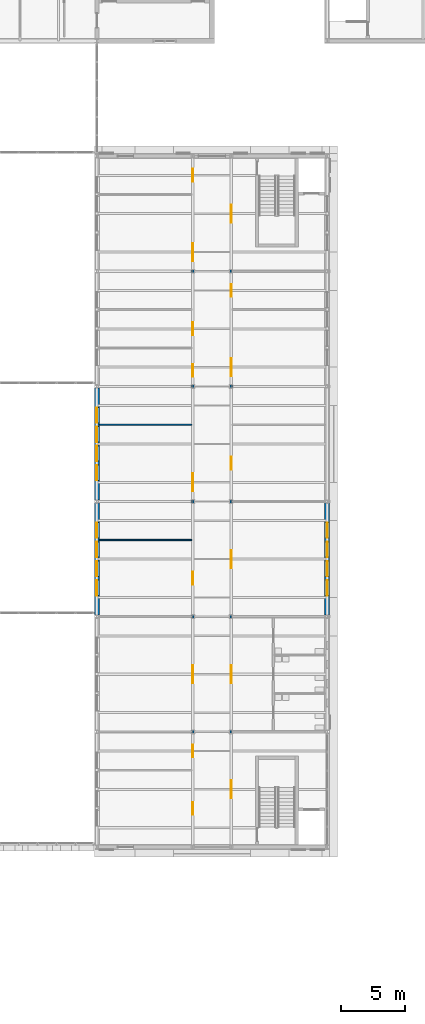
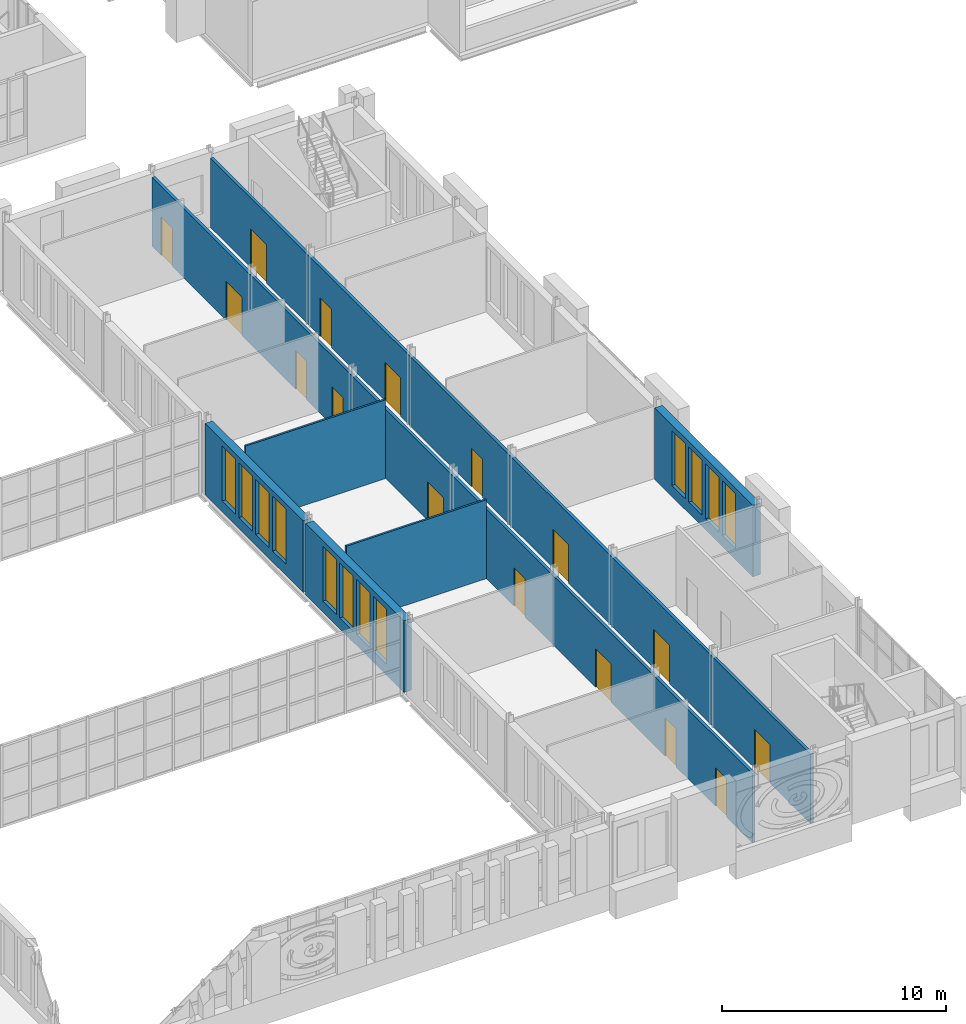
# One storey, part 79 of 131: 16 doors, 12 windows, 7 walls, 28 openings.
"""IFC4 building model written with IfcOpenShell, lengths in metres."""

from ifc_helpers import new_model, si_unit, direction, frame, frame_2d, origin, place, context, subcontext, project, spatial, rectangle, extrude, material, layer, layer_set, type_object, element, fill, save


model = new_model("IFC4")

# Units and contexts
model_context = context("Model", 3, precision=1e-05, world=origin(), true_north=direction((0.0, 1.0)))
body_context = subcontext(model_context, "Body", "Model", "MODEL_VIEW")
ifc_project = project(units=[si_unit("LENGTHUNIT", "METRE"), si_unit("AREAUNIT", "SQUARE_METRE"), si_unit("VOLUMEUNIT", "CUBIC_METRE"), si_unit("PLANEANGLEUNIT", "RADIAN"), si_unit("MASSUNIT", "GRAM", prefix="KILO")], contexts=[model_context])

# Site, building, storey
site_placement = place(None, origin())
site = spatial("IfcSite", under=ifc_project, at=site_placement, CompositionType="ELEMENT")
building_placement = place(site_placement, origin())
building = spatial("IfcBuilding", under=site, at=building_placement, Name="Golden Quay Civic Hall", CompositionType="ELEMENT")
storey_placement = place(building_placement, frame((0.0, 0.0, 9.89990234375)))
storey = spatial("IfcBuildingStorey", under=building, at=storey_placement, Name="L02", CompositionType="ELEMENT", Elevation=9.89990234375)

# Walls
ifc_material_1 = material(Name="Plasterboard on steel studs", Category="steel")
ifc_layer_1 = layer(ifc_material_1, 0.10009765625)
ifc_layer_set_1 = layer_set([ifc_layer_1], Name="Partition 100 stud")
wall_type_1 = type_object("IfcWallType", Name="Partition 100 stud", PredefinedType="PARTITIONING", material=ifc_layer_set_1)
for number, where, z_axis, x_axis, name in (
    (1, (99.199951171875, 24.0, 0.0), (0.0, 0.0, 1.0), (1.0, 0.0, 0.0), "Partition L02-008"),
    (2, (99.199951171875, 33.0, 0.0), (0.0, 0.0, 1.0), (1.0, 0.0, 0.0), "Partition L02-009"),
):
    element("IfcWall", number, at=place(storey_placement, frame(where, z_axis=z_axis, x_axis=x_axis)), inside=storey, type_object=wall_type_1, Name=name, PredefinedType="PARTITIONING", context=body_context, shape_type="SweptSolid", body=[
        extrude(rectangle(XDim=7.22509765625, YDim=0.10009765625, at=frame_2d((3.612548828125, 0.0))), origin(), (0.0, 0.0, 1.0), 4.300048828125),
    ])

# Wall, openings, doors
ifc_material_2 = material(Name="Plasterboard on steel studs", Category="steel")
ifc_layer_2 = layer(ifc_material_2, 0.14990234375)
ifc_layer_set_2 = layer_set([ifc_layer_2], Name="Partition 150 stud fire EI 60")
wall_type_2 = type_object("IfcWallType", Name="Partition 150 stud fire EI 60", PredefinedType="PARTITIONING", material=ifc_layer_set_2)
wall_1_placement = place(storey_placement, frame((109.5, 0.199951171875, 0.0), z_axis=(0.0, 0.0, 1.0), x_axis=(0.0, 1.0, 0.0)))
wall_1 = element("IfcWall", 3, at=wall_1_placement, inside=storey, type_object=wall_type_2, Name="Partition L02-014", PredefinedType="PARTITIONING", context=body_context, shape_type="SweptSolid", body=[
    extrude(rectangle(XDim=53.60009765625, YDim=0.14990234375, at=frame_2d((26.800048828125, 0.0))), origin(), (0.0, 0.0, 1.0), 3.780029296875),
])
opening_1_placement = place(wall_1_placement, frame((21.60009765625, 0.0, 0.0)))
opening_1 = element("IfcOpeningElement", 4, at=opening_1_placement, cuts=wall_1, Name="Opening L02-D107", PredefinedType="OPENING", context=body_context, shape_type="SweptSolid", body=[
    extrude(rectangle(XDim=1.39990234375, YDim=2.10009765625, at=frame_2d((0.699951171875, 1.050048828125))), frame((0.0, 0.0849609375, 0.0), z_axis=(0.0, -1.0, 0.0), x_axis=(1.0, 0.0, 0.0)), (0.0, 0.0, 1.0), 0.169921875),
])
opening_2_placement = place(wall_1_placement, frame((29.300048828125, 0.0, 0.0)))
opening_2 = element("IfcOpeningElement", 5, at=opening_2_placement, cuts=wall_1, Name="Opening L02-D108", PredefinedType="OPENING", context=body_context, shape_type="SweptSolid", body=[
    extrude(rectangle(XDim=1.0, YDim=2.10009765625, at=frame_2d((0.5, 1.050048828125))), frame((0.0, 0.0849609375, 0.0), z_axis=(0.0, -1.0, 0.0), x_axis=(1.0, 0.0, 0.0)), (0.0, 0.0, 1.0), 0.169921875),
])
opening_3_placement = place(wall_1_placement, frame((36.60009765625, 0.0, 0.0)))
opening_3 = element("IfcOpeningElement", 6, at=opening_3_placement, cuts=wall_1, Name="Opening L02-D109", PredefinedType="OPENING", context=body_context, shape_type="SweptSolid", body=[
    extrude(rectangle(XDim=1.39990234375, YDim=2.10009765625, at=frame_2d((0.699951171875, 1.050048828125))), frame((0.0, 0.0849609375, 0.0), z_axis=(0.0, -1.0, 0.0), x_axis=(1.0, 0.0, 0.0)), (0.0, 0.0, 1.0), 0.169921875),
])
opening_4_placement = place(wall_1_placement, frame((42.800048828125, 0.0, 0.0)))
opening_4 = element("IfcOpeningElement", 7, at=opening_4_placement, cuts=wall_1, Name="Opening L02-D110", PredefinedType="OPENING", context=body_context, shape_type="SweptSolid", body=[
    extrude(rectangle(XDim=1.0, YDim=2.10009765625, at=frame_2d((0.5, 1.050048828125))), frame((0.0, 0.0849609375, 0.0), z_axis=(0.0, -1.0, 0.0), x_axis=(1.0, 0.0, 0.0)), (0.0, 0.0, 1.0), 0.169921875),
])
opening_5_placement = place(wall_1_placement, frame((12.60009765625, 0.0, 0.0)))
opening_5 = element("IfcOpeningElement", 8, at=opening_5_placement, cuts=wall_1, Name="Opening L02-D120", PredefinedType="OPENING", context=body_context, shape_type="SweptSolid", body=[
    extrude(rectangle(XDim=1.39990234375, YDim=2.10009765625, at=frame_2d((0.699951171875, 1.050048828125))), frame((0.0, 0.0849609375, 0.0), z_axis=(0.0, -1.0, 0.0), x_axis=(1.0, 0.0, 0.0)), (0.0, 0.0, 1.0), 0.169921875),
])
opening_6_placement = place(wall_1_placement, frame((3.60009765625, 0.0, 0.0)))
opening_6 = element("IfcOpeningElement", 9, at=opening_6_placement, cuts=wall_1, Name="Opening L02-D125", PredefinedType="OPENING", context=body_context, shape_type="SweptSolid", body=[
    extrude(rectangle(XDim=1.39990234375, YDim=2.10009765625, at=frame_2d((0.699951171875, 1.050048828125))), frame((0.0, 0.0849609375, 0.0), z_axis=(0.0, -1.0, 0.0), x_axis=(1.0, 0.0, 0.0)), (0.0, 0.0, 1.0), 0.169921875),
])
opening_7_placement = place(wall_1_placement, frame((48.60009765625, 0.0, 0.0)))
opening_7 = element("IfcOpeningElement", 10, at=opening_7_placement, cuts=wall_1, Name="Opening L02-D127", PredefinedType="OPENING", context=body_context, shape_type="SweptSolid", body=[
    extrude(rectangle(XDim=1.39990234375, YDim=2.10009765625, at=frame_2d((0.699951171875, 1.050048828125))), frame((0.0, 0.0849609375, 0.0), z_axis=(0.0, -1.0, 0.0), x_axis=(1.0, 0.0, 0.0)), (0.0, 0.0, 1.0), 0.169921875),
])
ifc_material_3 = material(Name="Steel", Category="steel")
door_type_1 = type_object("IfcDoorType", Name="Steel double fire door FD30S 1400 x 2100", OperationType="DOUBLE_DOOR_SINGLE_SWING", PredefinedType="DOOR", material=ifc_material_3)
door_1_placement = place(opening_1_placement, frame((1.39990234375, 0.0, 0.0), z_axis=(0.0, 0.0, 1.0), x_axis=(-1.0, 0.0, 0.0)))
door_1 = element("IfcDoor", 11, at=door_1_placement, inside=storey, type_object=door_type_1, Name="Door L02-D107", OperationType="DOUBLE_DOOR_SINGLE_SWING", OverallHeight=2.10009765625, OverallWidth=1.39990234375, PredefinedType="DOOR", context=body_context, shape_type="SweptSolid", body=[
    extrude(rectangle(XDim=1.39990234375, YDim=2.10009765625, at=frame_2d((0.699951171875, 1.050048828125))), frame((0.0, 0.025146484375, 0.0), z_axis=(0.0, -1.0, 0.0), x_axis=(1.0, 0.0, 0.0)), (0.0, 0.0, 1.0), 0.050048828125),
])
fill(opening_1, door_1)
door_2_placement = place(opening_3_placement, frame((1.39990234375, 0.0, 0.0), z_axis=(0.0, 0.0, 1.0), x_axis=(-1.0, 0.0, 0.0)))
door_2 = element("IfcDoor", 12, at=door_2_placement, inside=storey, type_object=door_type_1, Name="Door L02-D109", OperationType="DOUBLE_DOOR_SINGLE_SWING", OverallHeight=2.10009765625, OverallWidth=1.39990234375, PredefinedType="DOOR", context=body_context, shape_type="SweptSolid", body=[
    extrude(rectangle(XDim=1.39990234375, YDim=2.10009765625, at=frame_2d((0.699951171875, 1.050048828125))), frame((0.0, 0.025146484375, 0.0), z_axis=(0.0, -1.0, 0.0), x_axis=(1.0, 0.0, 0.0)), (0.0, 0.0, 1.0), 0.050048828125),
])
fill(opening_3, door_2)
door_3_placement = place(opening_5_placement, frame((1.39990234375, 0.0, 0.0), z_axis=(0.0, 0.0, 1.0), x_axis=(-1.0, 0.0, 0.0)))
door_3 = element("IfcDoor", 13, at=door_3_placement, inside=storey, type_object=door_type_1, Name="Door L02-D120", OperationType="DOUBLE_DOOR_SINGLE_SWING", OverallHeight=2.10009765625, OverallWidth=1.39990234375, PredefinedType="DOOR", context=body_context, shape_type="SweptSolid", body=[
    extrude(rectangle(XDim=1.39990234375, YDim=2.10009765625, at=frame_2d((0.699951171875, 1.050048828125))), frame((0.0, 0.025146484375, 0.0), z_axis=(0.0, -1.0, 0.0), x_axis=(1.0, 0.0, 0.0)), (0.0, 0.0, 1.0), 0.050048828125),
])
fill(opening_5, door_3)
door_4_placement = place(opening_6_placement, origin())
door_4 = element("IfcDoor", 14, at=door_4_placement, inside=storey, type_object=door_type_1, Name="Door L02-D125", OperationType="DOUBLE_DOOR_SINGLE_SWING", OverallHeight=2.10009765625, OverallWidth=1.39990234375, PredefinedType="DOOR", context=body_context, shape_type="SweptSolid", body=[
    extrude(rectangle(XDim=1.39990234375, YDim=2.10009765625, at=frame_2d((0.699951171875, 1.050048828125))), frame((0.0, 0.02490234375, 0.0), z_axis=(0.0, -1.0, 0.0), x_axis=(1.0, 0.0, 0.0)), (0.0, 0.0, 1.0), 0.050048828125),
])
fill(opening_6, door_4)
door_5_placement = place(opening_7_placement, origin())
door_5 = element("IfcDoor", 15, at=door_5_placement, inside=storey, type_object=door_type_1, Name="Door L02-D127", OperationType="DOUBLE_DOOR_SINGLE_SWING", OverallHeight=2.10009765625, OverallWidth=1.39990234375, PredefinedType="DOOR", context=body_context, shape_type="SweptSolid", body=[
    extrude(rectangle(XDim=1.39990234375, YDim=2.10009765625, at=frame_2d((0.699951171875, 1.050048828125))), frame((0.0, 0.02490234375, 0.0), z_axis=(0.0, -1.0, 0.0), x_axis=(1.0, 0.0, 0.0)), (0.0, 0.0, 1.0), 0.050048828125),
])
fill(opening_7, door_5)
ifc_material_4 = material(Name="Steel", Category="steel")
door_type_2 = type_object("IfcDoorType", Name="Steel fire door FD30S 1000 x 2100", OperationType="SINGLE_SWING_LEFT", PredefinedType="DOOR", material=ifc_material_4)
door_6_placement = place(opening_2_placement, frame((1.0, 0.0, 0.0), z_axis=(0.0, 0.0, 1.0), x_axis=(-1.0, 0.0, 0.0)))
door_6 = element("IfcDoor", 16, at=door_6_placement, inside=storey, type_object=door_type_2, Name="Door L02-D108", OperationType="SINGLE_SWING_RIGHT", OverallHeight=2.10009765625, OverallWidth=1.0, PredefinedType="DOOR", context=body_context, shape_type="SweptSolid", body=[
    extrude(rectangle(XDim=1.0, YDim=2.10009765625, at=frame_2d((0.5, 1.050048828125))), frame((0.0, 0.025146484375, 0.0), z_axis=(0.0, -1.0, 0.0), x_axis=(1.0, 0.0, 0.0)), (0.0, 0.0, 1.0), 0.050048828125),
])
fill(opening_2, door_6)
door_7_placement = place(opening_4_placement, frame((1.0, 0.0, 0.0), z_axis=(0.0, 0.0, 1.0), x_axis=(-1.0, 0.0, 0.0)))
door_7 = element("IfcDoor", 17, at=door_7_placement, inside=storey, type_object=door_type_2, Name="Door L02-D110", OperationType="SINGLE_SWING_RIGHT", OverallHeight=2.10009765625, OverallWidth=1.0, PredefinedType="DOOR", context=body_context, shape_type="SweptSolid", body=[
    extrude(rectangle(XDim=1.0, YDim=2.10009765625, at=frame_2d((0.5, 1.050048828125))), frame((0.0, 0.025146484375, 0.0), z_axis=(0.0, -1.0, 0.0), x_axis=(1.0, 0.0, 0.0)), (0.0, 0.0, 1.0), 0.050048828125),
])
fill(opening_4, door_7)

wall_2_placement = place(storey_placement, frame((106.5, 0.199951171875, 0.0), z_axis=(0.0, 0.0, 1.0), x_axis=(0.0, 1.0, 0.0)))
wall_2 = element("IfcWall", 18, at=wall_2_placement, inside=storey, type_object=wall_type_2, Name="Partition L02-015", PredefinedType="PARTITIONING", context=body_context, shape_type="SweptSolid", body=[
    extrude(rectangle(XDim=53.60009765625, YDim=0.14990234375, at=frame_2d((26.800048828125, 0.0))), origin(), (0.0, 0.0, 1.0), 3.780029296875),
])
opening_8_placement = place(wall_2_placement, frame((2.300048828125, 0.0, 0.0)))
opening_8 = element("IfcOpeningElement", 19, at=opening_8_placement, cuts=wall_2, Name="Opening L02-D111", PredefinedType="OPENING", context=body_context, shape_type="SweptSolid", body=[
    extrude(rectangle(XDim=1.0, YDim=2.10009765625, at=frame_2d((0.5, 1.050048828125))), frame((0.0, 0.0849609375, 0.0), z_axis=(0.0, -1.0, 0.0), x_axis=(1.0, 0.0, 0.0)), (0.0, 0.0, 1.0), 0.169921875),
])
opening_9_placement = place(wall_2_placement, frame((6.800048828125, 0.0, 0.0)))
opening_9 = element("IfcOpeningElement", 20, at=opening_9_placement, cuts=wall_2, Name="Opening L02-D112", PredefinedType="OPENING", context=body_context, shape_type="SweptSolid", body=[
    extrude(rectangle(XDim=1.0, YDim=2.10009765625, at=frame_2d((0.5, 1.050048828125))), frame((0.0, 0.0849609375, 0.0), z_axis=(0.0, -1.0, 0.0), x_axis=(1.0, 0.0, 0.0)), (0.0, 0.0, 1.0), 0.169921875),
])
opening_10_placement = place(wall_2_placement, frame((12.60009765625, 0.0, 0.0)))
opening_10 = element("IfcOpeningElement", 21, at=opening_10_placement, cuts=wall_2, Name="Opening L02-D113", PredefinedType="OPENING", context=body_context, shape_type="SweptSolid", body=[
    extrude(rectangle(XDim=1.39990234375, YDim=2.10009765625, at=frame_2d((0.699951171875, 1.050048828125))), frame((0.0, 0.0849609375, 0.0), z_axis=(0.0, -1.0, 0.0), x_axis=(1.0, 0.0, 0.0)), (0.0, 0.0, 1.0), 0.169921875),
])
opening_11_placement = place(wall_2_placement, frame((20.300048828125, 0.0, 0.0)))
opening_11 = element("IfcOpeningElement", 22, at=opening_11_placement, cuts=wall_2, Name="Opening L02-D114", PredefinedType="OPENING", context=body_context, shape_type="SweptSolid", body=[
    extrude(rectangle(XDim=1.0, YDim=2.10009765625, at=frame_2d((0.5, 1.050048828125))), frame((0.0, 0.0849609375, 0.0), z_axis=(0.0, -1.0, 0.0), x_axis=(1.0, 0.0, 0.0)), (0.0, 0.0, 1.0), 0.169921875),
])
opening_12_placement = place(wall_2_placement, frame((27.60009765625, 0.0, 0.0)))
opening_12 = element("IfcOpeningElement", 23, at=opening_12_placement, cuts=wall_2, Name="Opening L02-D115", PredefinedType="OPENING", context=body_context, shape_type="SweptSolid", body=[
    extrude(rectangle(XDim=1.39990234375, YDim=2.10009765625, at=frame_2d((0.699951171875, 1.050048828125))), frame((0.0, 0.0849609375, 0.0), z_axis=(0.0, -1.0, 0.0), x_axis=(1.0, 0.0, 0.0)), (0.0, 0.0, 1.0), 0.169921875),
])
opening_13_placement = place(wall_2_placement, frame((36.550048828125, 0.0, 0.0)))
opening_13 = element("IfcOpeningElement", 24, at=opening_13_placement, cuts=wall_2, Name="Opening L02-D116", PredefinedType="OPENING", context=body_context, shape_type="SweptSolid", body=[
    extrude(rectangle(XDim=1.0, YDim=2.10009765625, at=frame_2d((0.5, 1.050048828125))), frame((0.0, 0.0849609375, 0.0), z_axis=(0.0, -1.0, 0.0), x_axis=(1.0, 0.0, 0.0)), (0.0, 0.0, 1.0), 0.169921875),
])
opening_14_placement = place(wall_2_placement, frame((39.800048828125, 0.0, 0.0)))
opening_14 = element("IfcOpeningElement", 25, at=opening_14_placement, cuts=wall_2, Name="Opening L02-D117", PredefinedType="OPENING", context=body_context, shape_type="SweptSolid", body=[
    extrude(rectangle(XDim=1.0, YDim=2.10009765625, at=frame_2d((0.5, 1.050048828125))), frame((0.0, 0.0849609375, 0.0), z_axis=(0.0, -1.0, 0.0), x_axis=(1.0, 0.0, 0.0)), (0.0, 0.0, 1.0), 0.169921875),
])
opening_15_placement = place(wall_2_placement, frame((45.60009765625, 0.0, 0.0)))
opening_15 = element("IfcOpeningElement", 26, at=opening_15_placement, cuts=wall_2, Name="Opening L02-D118", PredefinedType="OPENING", context=body_context, shape_type="SweptSolid", body=[
    extrude(rectangle(XDim=1.39990234375, YDim=2.10009765625, at=frame_2d((0.699951171875, 1.050048828125))), frame((0.0, 0.0849609375, 0.0), z_axis=(0.0, -1.0, 0.0), x_axis=(1.0, 0.0, 0.0)), (0.0, 0.0, 1.0), 0.169921875),
])
opening_16_placement = place(wall_2_placement, frame((51.800048828125, 0.0, 0.0)))
opening_16 = element("IfcOpeningElement", 27, at=opening_16_placement, cuts=wall_2, Name="Opening L02-D119", PredefinedType="OPENING", context=body_context, shape_type="SweptSolid", body=[
    extrude(rectangle(XDim=1.0, YDim=2.10009765625, at=frame_2d((0.5, 1.050048828125))), frame((0.0, 0.0849609375, 0.0), z_axis=(0.0, -1.0, 0.0), x_axis=(1.0, 0.0, 0.0)), (0.0, 0.0, 1.0), 0.169921875),
])
door_8_placement = place(opening_10_placement, origin())
door_8 = element("IfcDoor", 28, at=door_8_placement, inside=storey, type_object=door_type_1, Name="Door L02-D113", OperationType="DOUBLE_DOOR_SINGLE_SWING", OverallHeight=2.10009765625, OverallWidth=1.39990234375, PredefinedType="DOOR", context=body_context, shape_type="SweptSolid", body=[
    extrude(rectangle(XDim=1.39990234375, YDim=2.10009765625, at=frame_2d((0.699951171875, 1.050048828125))), frame((0.0, 0.02490234375, 0.0), z_axis=(0.0, -1.0, 0.0), x_axis=(1.0, 0.0, 0.0)), (0.0, 0.0, 1.0), 0.050048828125),
])
fill(opening_10, door_8)
door_9_placement = place(opening_12_placement, origin())
door_9 = element("IfcDoor", 29, at=door_9_placement, inside=storey, type_object=door_type_1, Name="Door L02-D115", OperationType="DOUBLE_DOOR_SINGLE_SWING", OverallHeight=2.10009765625, OverallWidth=1.39990234375, PredefinedType="DOOR", context=body_context, shape_type="SweptSolid", body=[
    extrude(rectangle(XDim=1.39990234375, YDim=2.10009765625, at=frame_2d((0.699951171875, 1.050048828125))), frame((0.0, 0.02490234375, 0.0), z_axis=(0.0, -1.0, 0.0), x_axis=(1.0, 0.0, 0.0)), (0.0, 0.0, 1.0), 0.050048828125),
])
fill(opening_12, door_9)
door_10_placement = place(opening_15_placement, origin())
door_10 = element("IfcDoor", 30, at=door_10_placement, inside=storey, type_object=door_type_1, Name="Door L02-D118", OperationType="DOUBLE_DOOR_SINGLE_SWING", OverallHeight=2.10009765625, OverallWidth=1.39990234375, PredefinedType="DOOR", context=body_context, shape_type="SweptSolid", body=[
    extrude(rectangle(XDim=1.39990234375, YDim=2.10009765625, at=frame_2d((0.699951171875, 1.050048828125))), frame((0.0, 0.02490234375, 0.0), z_axis=(0.0, -1.0, 0.0), x_axis=(1.0, 0.0, 0.0)), (0.0, 0.0, 1.0), 0.050048828125),
])
fill(opening_15, door_10)
door_11_placement = place(opening_8_placement, origin())
door_11 = element("IfcDoor", 31, at=door_11_placement, inside=storey, type_object=door_type_2, Name="Door L02-D111", OperationType="SINGLE_SWING_LEFT", OverallHeight=2.10009765625, OverallWidth=1.0, PredefinedType="DOOR", context=body_context, shape_type="SweptSolid", body=[
    extrude(rectangle(XDim=1.0, YDim=2.10009765625, at=frame_2d((0.5, 1.050048828125))), frame((0.0, 0.02490234375, 0.0), z_axis=(0.0, -1.0, 0.0), x_axis=(1.0, 0.0, 0.0)), (0.0, 0.0, 1.0), 0.050048828125),
])
fill(opening_8, door_11)
door_12_placement = place(opening_9_placement, origin())
door_12 = element("IfcDoor", 32, at=door_12_placement, inside=storey, type_object=door_type_2, Name="Door L02-D112", OperationType="SINGLE_SWING_LEFT", OverallHeight=2.10009765625, OverallWidth=1.0, PredefinedType="DOOR", context=body_context, shape_type="SweptSolid", body=[
    extrude(rectangle(XDim=1.0, YDim=2.10009765625, at=frame_2d((0.5, 1.050048828125))), frame((0.0, 0.02490234375, 0.0), z_axis=(0.0, -1.0, 0.0), x_axis=(1.0, 0.0, 0.0)), (0.0, 0.0, 1.0), 0.050048828125),
])
fill(opening_9, door_12)
door_13_placement = place(opening_11_placement, origin())
door_13 = element("IfcDoor", 33, at=door_13_placement, inside=storey, type_object=door_type_2, Name="Door L02-D114", OperationType="SINGLE_SWING_LEFT", OverallHeight=2.10009765625, OverallWidth=1.0, PredefinedType="DOOR", context=body_context, shape_type="SweptSolid", body=[
    extrude(rectangle(XDim=1.0, YDim=2.10009765625, at=frame_2d((0.5, 1.050048828125))), frame((0.0, 0.02490234375, 0.0), z_axis=(0.0, -1.0, 0.0), x_axis=(1.0, 0.0, 0.0)), (0.0, 0.0, 1.0), 0.050048828125),
])
fill(opening_11, door_13)
door_14_placement = place(opening_13_placement, origin())
door_14 = element("IfcDoor", 34, at=door_14_placement, inside=storey, type_object=door_type_2, Name="Door L02-D116", OperationType="SINGLE_SWING_LEFT", OverallHeight=2.10009765625, OverallWidth=1.0, PredefinedType="DOOR", context=body_context, shape_type="SweptSolid", body=[
    extrude(rectangle(XDim=1.0, YDim=2.10009765625, at=frame_2d((0.5, 1.050048828125))), frame((0.0, 0.02490234375, 0.0), z_axis=(0.0, -1.0, 0.0), x_axis=(1.0, 0.0, 0.0)), (0.0, 0.0, 1.0), 0.050048828125),
])
fill(opening_13, door_14)
door_15_placement = place(opening_14_placement, origin())
door_15 = element("IfcDoor", 35, at=door_15_placement, inside=storey, type_object=door_type_2, Name="Door L02-D117", OperationType="SINGLE_SWING_LEFT", OverallHeight=2.10009765625, OverallWidth=1.0, PredefinedType="DOOR", context=body_context, shape_type="SweptSolid", body=[
    extrude(rectangle(XDim=1.0, YDim=2.10009765625, at=frame_2d((0.5, 1.050048828125))), frame((0.0, 0.02490234375, 0.0), z_axis=(0.0, -1.0, 0.0), x_axis=(1.0, 0.0, 0.0)), (0.0, 0.0, 1.0), 0.050048828125),
])
fill(opening_14, door_15)
door_16_placement = place(opening_16_placement, origin())
door_16 = element("IfcDoor", 36, at=door_16_placement, inside=storey, type_object=door_type_2, Name="Door L02-D119", OperationType="SINGLE_SWING_LEFT", OverallHeight=2.10009765625, OverallWidth=1.0, PredefinedType="DOOR", context=body_context, shape_type="SweptSolid", body=[
    extrude(rectangle(XDim=1.0, YDim=2.10009765625, at=frame_2d((0.5, 1.050048828125))), frame((0.0, 0.02490234375, 0.0), z_axis=(0.0, -1.0, 0.0), x_axis=(1.0, 0.0, 0.0)), (0.0, 0.0, 1.0), 0.050048828125),
])
fill(opening_16, door_16)

# Wall, openings, windows
ifc_material_5 = material(Name="Clay block, rendered, cream")
ifc_layer_3 = layer(ifc_material_5, 0.39990234375)
ifc_layer_set_3 = layer_set([ifc_layer_3], Name="Rendered block external wall 400")
wall_type_3 = type_object("IfcWallType", Name="Rendered block external wall 400", PredefinedType="STANDARD", material=ifc_layer_set_3)
wall_3_placement = place(storey_placement, frame((99.0, 18.114990234375, 0.0), z_axis=(0.0, 0.0, 1.0), x_axis=(0.0, 1.0, 0.0)))
wall_3 = element("IfcWall", 37, at=wall_3_placement, inside=storey, type_object=wall_type_3, Name="Rendered block external wall 400 L02 37", PredefinedType="STANDARD", context=body_context, shape_type="SweptSolid", body=[
    extrude(rectangle(XDim=8.77001953125, YDim=0.39990234375, at=frame_2d((4.385009765625, 0.0))), origin(), (0.0, 0.0, 1.0), 3.900146484375),
])
opening_17_placement = place(wall_3_placement, frame((1.534912109375, 0.0, 0.60009765625)))
opening_17 = element("IfcOpeningElement", 38, at=opening_17_placement, cuts=wall_3, Name="Opening WN5", PredefinedType="OPENING", context=body_context, shape_type="SweptSolid", body=[
    extrude(rectangle(XDim=1.199951171875, YDim=3.0, at=frame_2d((0.60009765625, 1.5))), frame((0.0, 0.2099609375, 0.0), z_axis=(0.0, -1.0, 0.0), x_axis=(1.0, 0.0, 0.0)), (0.0, 0.0, 1.0), 0.419921875),
])
opening_18_placement = place(wall_3_placement, frame((3.034912109375, 0.0, 0.60009765625)))
opening_18 = element("IfcOpeningElement", 39, at=opening_18_placement, cuts=wall_3, Name="Opening WN5", PredefinedType="OPENING", context=body_context, shape_type="SweptSolid", body=[
    extrude(rectangle(XDim=1.199951171875, YDim=3.0, at=frame_2d((0.60009765625, 1.5))), frame((0.0, 0.2099609375, 0.0), z_axis=(0.0, -1.0, 0.0), x_axis=(1.0, 0.0, 0.0)), (0.0, 0.0, 1.0), 0.419921875),
])
opening_19_placement = place(wall_3_placement, frame((4.534912109375, 0.0, 0.60009765625)))
opening_19 = element("IfcOpeningElement", 40, at=opening_19_placement, cuts=wall_3, Name="Opening WN5", PredefinedType="OPENING", context=body_context, shape_type="SweptSolid", body=[
    extrude(rectangle(XDim=1.199951171875, YDim=3.0, at=frame_2d((0.60009765625, 1.5))), frame((0.0, 0.2099609375, 0.0), z_axis=(0.0, -1.0, 0.0), x_axis=(1.0, 0.0, 0.0)), (0.0, 0.0, 1.0), 0.419921875),
])
opening_20_placement = place(wall_3_placement, frame((6.034912109375, 0.0, 0.60009765625)))
opening_20 = element("IfcOpeningElement", 41, at=opening_20_placement, cuts=wall_3, Name="Opening WN5", PredefinedType="OPENING", context=body_context, shape_type="SweptSolid", body=[
    extrude(rectangle(XDim=1.199951171875, YDim=3.0, at=frame_2d((0.60009765625, 1.5))), frame((0.0, 0.2099609375, 0.0), z_axis=(0.0, -1.0, 0.0), x_axis=(1.0, 0.0, 0.0)), (0.0, 0.0, 1.0), 0.419921875),
])
ifc_material_6 = material(Name="Aluminium frame, double glazed", Category="aluminium")
window_type = type_object("IfcWindowType", Name="Golden grid window 1200 x 3000", PartitioningType="SINGLE_PANEL", PredefinedType="WINDOW", material=ifc_material_6)
window_1_placement = place(opening_17_placement, origin())
window_1 = element("IfcWindow", 42, at=window_1_placement, inside=storey, type_object=window_type, Name="Golden grid window 1200 x 3000 L02 83", OverallHeight=3.0, OverallWidth=1.199951171875, PartitioningType="SINGLE_PANEL", PredefinedType="WINDOW", context=body_context, shape_type="SweptSolid", body=[
    extrude(rectangle(XDim=1.199951171875, YDim=3.0, at=frame_2d((0.60009765625, 1.5))), frame((0.0, 0.030029296875, 0.0), z_axis=(0.0, -1.0, 0.0), x_axis=(1.0, 0.0, 0.0)), (0.0, 0.0, 1.0), 0.06005859375),
])
fill(opening_17, window_1)
window_2_placement = place(opening_18_placement, origin())
window_2 = element("IfcWindow", 43, at=window_2_placement, inside=storey, type_object=window_type, Name="Golden grid window 1200 x 3000 L02 84", OverallHeight=3.0, OverallWidth=1.199951171875, PartitioningType="SINGLE_PANEL", PredefinedType="WINDOW", context=body_context, shape_type="SweptSolid", body=[
    extrude(rectangle(XDim=1.199951171875, YDim=3.0, at=frame_2d((0.60009765625, 1.5))), frame((0.0, 0.030029296875, 0.0), z_axis=(0.0, -1.0, 0.0), x_axis=(1.0, 0.0, 0.0)), (0.0, 0.0, 1.0), 0.06005859375),
])
fill(opening_18, window_2)
window_3_placement = place(opening_19_placement, origin())
window_3 = element("IfcWindow", 44, at=window_3_placement, inside=storey, type_object=window_type, Name="Golden grid window 1200 x 3000 L02 85", OverallHeight=3.0, OverallWidth=1.199951171875, PartitioningType="SINGLE_PANEL", PredefinedType="WINDOW", context=body_context, shape_type="SweptSolid", body=[
    extrude(rectangle(XDim=1.199951171875, YDim=3.0, at=frame_2d((0.60009765625, 1.5))), frame((0.0, 0.030029296875, 0.0), z_axis=(0.0, -1.0, 0.0), x_axis=(1.0, 0.0, 0.0)), (0.0, 0.0, 1.0), 0.06005859375),
])
fill(opening_19, window_3)
window_4_placement = place(opening_20_placement, origin())
window_4 = element("IfcWindow", 45, at=window_4_placement, inside=storey, type_object=window_type, Name="Golden grid window 1200 x 3000 L02 86", OverallHeight=3.0, OverallWidth=1.199951171875, PartitioningType="SINGLE_PANEL", PredefinedType="WINDOW", context=body_context, shape_type="SweptSolid", body=[
    extrude(rectangle(XDim=1.199951171875, YDim=3.0, at=frame_2d((0.60009765625, 1.5))), frame((0.0, 0.030029296875, 0.0), z_axis=(0.0, -1.0, 0.0), x_axis=(1.0, 0.0, 0.0)), (0.0, 0.0, 1.0), 0.06005859375),
])
fill(opening_20, window_4)

wall_4_placement = place(storey_placement, frame((99.0, 27.114990234375, 0.0), z_axis=(0.0, 0.0, 1.0), x_axis=(0.0, 1.0, 0.0)))
wall_4 = element("IfcWall", 46, at=wall_4_placement, inside=storey, type_object=wall_type_3, Name="Rendered block external wall 400 L02 38", PredefinedType="STANDARD", context=body_context, shape_type="SweptSolid", body=[
    extrude(rectangle(XDim=8.77001953125, YDim=0.39990234375, at=frame_2d((4.385009765625, 0.0))), origin(), (0.0, 0.0, 1.0), 3.900146484375),
])
opening_21_placement = place(wall_4_placement, frame((1.534912109375, 0.0, 0.60009765625)))
opening_21 = element("IfcOpeningElement", 47, at=opening_21_placement, cuts=wall_4, Name="Opening WN5", PredefinedType="OPENING", context=body_context, shape_type="SweptSolid", body=[
    extrude(rectangle(XDim=1.199951171875, YDim=3.0, at=frame_2d((0.60009765625, 1.5))), frame((0.0, 0.2099609375, 0.0), z_axis=(0.0, -1.0, 0.0), x_axis=(1.0, 0.0, 0.0)), (0.0, 0.0, 1.0), 0.419921875),
])
opening_22_placement = place(wall_4_placement, frame((3.034912109375, 0.0, 0.60009765625)))
opening_22 = element("IfcOpeningElement", 48, at=opening_22_placement, cuts=wall_4, Name="Opening WN5", PredefinedType="OPENING", context=body_context, shape_type="SweptSolid", body=[
    extrude(rectangle(XDim=1.199951171875, YDim=3.0, at=frame_2d((0.60009765625, 1.5))), frame((0.0, 0.2099609375, 0.0), z_axis=(0.0, -1.0, 0.0), x_axis=(1.0, 0.0, 0.0)), (0.0, 0.0, 1.0), 0.419921875),
])
opening_23_placement = place(wall_4_placement, frame((4.534912109375, 0.0, 0.60009765625)))
opening_23 = element("IfcOpeningElement", 49, at=opening_23_placement, cuts=wall_4, Name="Opening WN5", PredefinedType="OPENING", context=body_context, shape_type="SweptSolid", body=[
    extrude(rectangle(XDim=1.199951171875, YDim=3.0, at=frame_2d((0.60009765625, 1.5))), frame((0.0, 0.2099609375, 0.0), z_axis=(0.0, -1.0, 0.0), x_axis=(1.0, 0.0, 0.0)), (0.0, 0.0, 1.0), 0.419921875),
])
opening_24_placement = place(wall_4_placement, frame((6.034912109375, 0.0, 0.60009765625)))
opening_24 = element("IfcOpeningElement", 50, at=opening_24_placement, cuts=wall_4, Name="Opening WN5", PredefinedType="OPENING", context=body_context, shape_type="SweptSolid", body=[
    extrude(rectangle(XDim=1.199951171875, YDim=3.0, at=frame_2d((0.60009765625, 1.5))), frame((0.0, 0.2099609375, 0.0), z_axis=(0.0, -1.0, 0.0), x_axis=(1.0, 0.0, 0.0)), (0.0, 0.0, 1.0), 0.419921875),
])
window_5_placement = place(opening_21_placement, origin())
window_5 = element("IfcWindow", 51, at=window_5_placement, inside=storey, type_object=window_type, Name="Golden grid window 1200 x 3000 L02 87", OverallHeight=3.0, OverallWidth=1.199951171875, PartitioningType="SINGLE_PANEL", PredefinedType="WINDOW", context=body_context, shape_type="SweptSolid", body=[
    extrude(rectangle(XDim=1.199951171875, YDim=3.0, at=frame_2d((0.60009765625, 1.5))), frame((0.0, 0.030029296875, 0.0), z_axis=(0.0, -1.0, 0.0), x_axis=(1.0, 0.0, 0.0)), (0.0, 0.0, 1.0), 0.06005859375),
])
fill(opening_21, window_5)
window_6_placement = place(opening_22_placement, origin())
window_6 = element("IfcWindow", 52, at=window_6_placement, inside=storey, type_object=window_type, Name="Golden grid window 1200 x 3000 L02 88", OverallHeight=3.0, OverallWidth=1.199951171875, PartitioningType="SINGLE_PANEL", PredefinedType="WINDOW", context=body_context, shape_type="SweptSolid", body=[
    extrude(rectangle(XDim=1.199951171875, YDim=3.0, at=frame_2d((0.60009765625, 1.5))), frame((0.0, 0.030029296875, 0.0), z_axis=(0.0, -1.0, 0.0), x_axis=(1.0, 0.0, 0.0)), (0.0, 0.0, 1.0), 0.06005859375),
])
fill(opening_22, window_6)
window_7_placement = place(opening_23_placement, origin())
window_7 = element("IfcWindow", 53, at=window_7_placement, inside=storey, type_object=window_type, Name="Golden grid window 1200 x 3000 L02 89", OverallHeight=3.0, OverallWidth=1.199951171875, PartitioningType="SINGLE_PANEL", PredefinedType="WINDOW", context=body_context, shape_type="SweptSolid", body=[
    extrude(rectangle(XDim=1.199951171875, YDim=3.0, at=frame_2d((0.60009765625, 1.5))), frame((0.0, 0.030029296875, 0.0), z_axis=(0.0, -1.0, 0.0), x_axis=(1.0, 0.0, 0.0)), (0.0, 0.0, 1.0), 0.06005859375),
])
fill(opening_23, window_7)
window_8_placement = place(opening_24_placement, origin())
window_8 = element("IfcWindow", 54, at=window_8_placement, inside=storey, type_object=window_type, Name="Golden grid window 1200 x 3000 L02 90", OverallHeight=3.0, OverallWidth=1.199951171875, PartitioningType="SINGLE_PANEL", PredefinedType="WINDOW", context=body_context, shape_type="SweptSolid", body=[
    extrude(rectangle(XDim=1.199951171875, YDim=3.0, at=frame_2d((0.60009765625, 1.5))), frame((0.0, 0.030029296875, 0.0), z_axis=(0.0, -1.0, 0.0), x_axis=(1.0, 0.0, 0.0)), (0.0, 0.0, 1.0), 0.06005859375),
])
fill(opening_24, window_8)

wall_5_placement = place(storey_placement, frame((117.0, 26.885009765625, 0.0), z_axis=(0.0, 0.0, 1.0), x_axis=(0.0, -1.0, 0.0)))
wall_5 = element("IfcWall", 55, at=wall_5_placement, inside=storey, type_object=wall_type_3, Name="Rendered block external wall 400 L02 44", PredefinedType="STANDARD", context=body_context, shape_type="SweptSolid", body=[
    extrude(rectangle(XDim=8.77001953125, YDim=0.39990234375, at=frame_2d((4.385009765625, 0.0))), origin(), (0.0, 0.0, 1.0), 3.900146484375),
])
opening_25_placement = place(wall_5_placement, frame((6.034912109375, 0.0, 0.60009765625)))
opening_25 = element("IfcOpeningElement", 56, at=opening_25_placement, cuts=wall_5, Name="Opening WN5", PredefinedType="OPENING", context=body_context, shape_type="SweptSolid", body=[
    extrude(rectangle(XDim=1.199951171875, YDim=3.0, at=frame_2d((0.60009765625, 1.5))), frame((0.0, 0.2099609375, 0.0), z_axis=(0.0, -1.0, 0.0), x_axis=(1.0, 0.0, 0.0)), (0.0, 0.0, 1.0), 0.419921875),
])
opening_26_placement = place(wall_5_placement, frame((4.534912109375, 0.0, 0.60009765625)))
opening_26 = element("IfcOpeningElement", 57, at=opening_26_placement, cuts=wall_5, Name="Opening WN5", PredefinedType="OPENING", context=body_context, shape_type="SweptSolid", body=[
    extrude(rectangle(XDim=1.199951171875, YDim=3.0, at=frame_2d((0.60009765625, 1.5))), frame((0.0, 0.2099609375, 0.0), z_axis=(0.0, -1.0, 0.0), x_axis=(1.0, 0.0, 0.0)), (0.0, 0.0, 1.0), 0.419921875),
])
opening_27_placement = place(wall_5_placement, frame((3.034912109375, 0.0, 0.60009765625)))
opening_27 = element("IfcOpeningElement", 58, at=opening_27_placement, cuts=wall_5, Name="Opening WN5", PredefinedType="OPENING", context=body_context, shape_type="SweptSolid", body=[
    extrude(rectangle(XDim=1.199951171875, YDim=3.0, at=frame_2d((0.60009765625, 1.5))), frame((0.0, 0.2099609375, 0.0), z_axis=(0.0, -1.0, 0.0), x_axis=(1.0, 0.0, 0.0)), (0.0, 0.0, 1.0), 0.419921875),
])
opening_28_placement = place(wall_5_placement, frame((1.534912109375, 0.0, 0.60009765625)))
opening_28 = element("IfcOpeningElement", 59, at=opening_28_placement, cuts=wall_5, Name="Opening WN5", PredefinedType="OPENING", context=body_context, shape_type="SweptSolid", body=[
    extrude(rectangle(XDim=1.199951171875, YDim=3.0, at=frame_2d((0.60009765625, 1.5))), frame((0.0, 0.2099609375, 0.0), z_axis=(0.0, -1.0, 0.0), x_axis=(1.0, 0.0, 0.0)), (0.0, 0.0, 1.0), 0.419921875),
])
window_9_placement = place(opening_25_placement, origin())
window_9 = element("IfcWindow", 60, at=window_9_placement, inside=storey, type_object=window_type, Name="Golden grid window 1200 x 3000 L02 100", OverallHeight=3.0, OverallWidth=1.199951171875, PartitioningType="SINGLE_PANEL", PredefinedType="WINDOW", context=body_context, shape_type="SweptSolid", body=[
    extrude(rectangle(XDim=1.199951171875, YDim=3.0, at=frame_2d((0.60009765625, 1.5))), frame((0.0, 0.030029296875, 0.0), z_axis=(0.0, -1.0, 0.0), x_axis=(1.0, 0.0, 0.0)), (0.0, 0.0, 1.0), 0.06005859375),
])
fill(opening_25, window_9)
window_10_placement = place(opening_26_placement, origin())
window_10 = element("IfcWindow", 61, at=window_10_placement, inside=storey, type_object=window_type, Name="Golden grid window 1200 x 3000 L02 101", OverallHeight=3.0, OverallWidth=1.199951171875, PartitioningType="SINGLE_PANEL", PredefinedType="WINDOW", context=body_context, shape_type="SweptSolid", body=[
    extrude(rectangle(XDim=1.199951171875, YDim=3.0, at=frame_2d((0.60009765625, 1.5))), frame((0.0, 0.030029296875, 0.0), z_axis=(0.0, -1.0, 0.0), x_axis=(1.0, 0.0, 0.0)), (0.0, 0.0, 1.0), 0.06005859375),
])
fill(opening_26, window_10)
window_11_placement = place(opening_27_placement, origin())
window_11 = element("IfcWindow", 62, at=window_11_placement, inside=storey, type_object=window_type, Name="Golden grid window 1200 x 3000 L02 102", OverallHeight=3.0, OverallWidth=1.199951171875, PartitioningType="SINGLE_PANEL", PredefinedType="WINDOW", context=body_context, shape_type="SweptSolid", body=[
    extrude(rectangle(XDim=1.199951171875, YDim=3.0, at=frame_2d((0.60009765625, 1.5))), frame((0.0, 0.030029296875, 0.0), z_axis=(0.0, -1.0, 0.0), x_axis=(1.0, 0.0, 0.0)), (0.0, 0.0, 1.0), 0.06005859375),
])
fill(opening_27, window_11)
window_12_placement = place(opening_28_placement, origin())
window_12 = element("IfcWindow", 63, at=window_12_placement, inside=storey, type_object=window_type, Name="Golden grid window 1200 x 3000 L02 103", OverallHeight=3.0, OverallWidth=1.199951171875, PartitioningType="SINGLE_PANEL", PredefinedType="WINDOW", context=body_context, shape_type="SweptSolid", body=[
    extrude(rectangle(XDim=1.199951171875, YDim=3.0, at=frame_2d((0.60009765625, 1.5))), frame((0.0, 0.030029296875, 0.0), z_axis=(0.0, -1.0, 0.0), x_axis=(1.0, 0.0, 0.0)), (0.0, 0.0, 1.0), 0.06005859375),
])
fill(opening_28, window_12)

save(model, "model.ifc")
